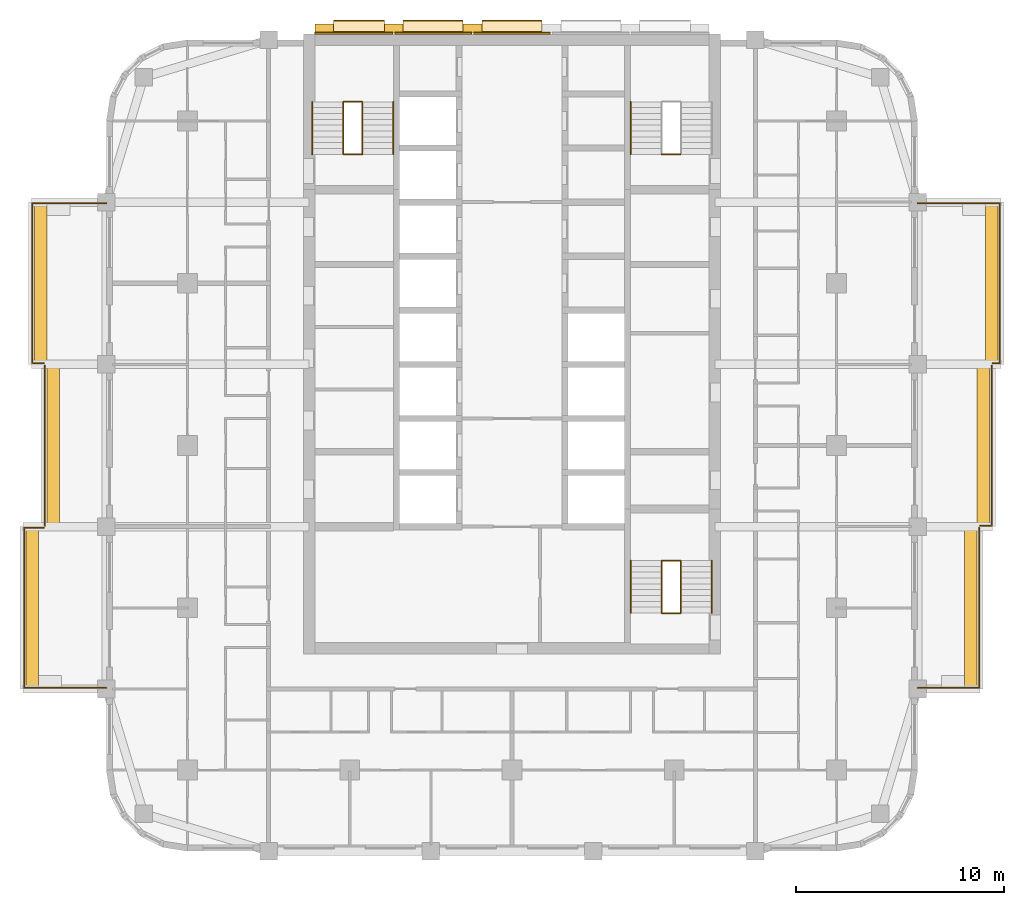
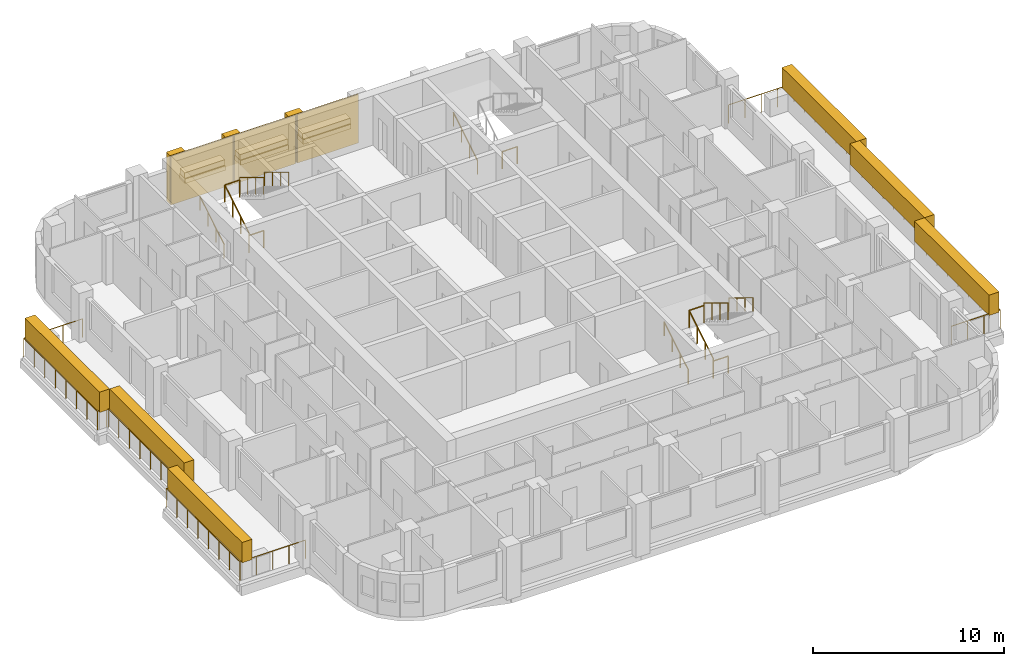
# One storey, part 12 of 13: 20 railings, 18 coverings, 3 elements without a shape of their own.
"""IFC4 building model written with IfcOpenShell, lengths in metres."""

from ifc_helpers import new_model, si_unit, direction, frame, origin, origin_2d, place, context, subcontext, project, spatial, rectangle, circle, extrude, material, layer, layer_set, type_object, element, aggregate, save


model = new_model("IFC4")

# Units and contexts
model_context = context("Model", 3, precision=1e-05, world=origin(), true_north=direction((0.0, 1.0)))
body_context = subcontext(model_context, "Body", "Model", "MODEL_VIEW")
ifc_project = project(units=[si_unit("LENGTHUNIT", "METRE"), si_unit("AREAUNIT", "SQUARE_METRE"), si_unit("VOLUMEUNIT", "CUBIC_METRE"), si_unit("PLANEANGLEUNIT", "RADIAN"), si_unit("MASSUNIT", "GRAM", prefix="KILO")], contexts=[model_context])

# Site, building, storey
site_placement = place(None, origin())
site = spatial("IfcSite", under=ifc_project, at=site_placement, CompositionType="ELEMENT")
building_placement = place(site_placement, origin())
building = spatial("IfcBuilding", under=site, at=building_placement, Name="Ludao Terraces", CompositionType="ELEMENT")
storey_placement = place(building_placement, frame((0.0, 0.0, 127.10009765625)))
storey = spatial("IfcBuildingStorey", under=building, at=storey_placement, Name="L34", CompositionType="ELEMENT", Elevation=127.10009765625)

# Railings
ifc_material_1 = material(Name="Stainless steel 304", Category="steel")
railing_type_1 = type_object("IfcRailingType", Name="ENV Balcony glass guard 1200", PredefinedType="GUARDRAIL", material=ifc_material_1)
railing_1_placement = place(storey_placement, frame((104.5, 53.35009765625, 0.0)))
element("IfcRailing", 1, at=railing_1_placement, inside=storey, type_object=railing_type_1, Name="Balcony guard L34 E1", PredefinedType="GUARDRAIL", context=body_context, shape_type="SweptSolid", body=[
    extrude(circle(Radius=0.02392578125, at=origin_2d()), frame((0.0, 0.0, 1.17578125), z_axis=(1.0, 0.0, 0.0), x_axis=(0.0, 1.0, 0.0)), (0.0, 0.0, 1.0), 2.949951171875),
    extrude(circle(Radius=0.02392578125, at=origin_2d()), frame((2.949951171875, 0.0, 1.17578125), z_axis=(0.0, 1.0, 0.0), x_axis=(-1.0, 0.0, 0.0)), (0.0, 0.0, 1.0), 7.699951171875),
    extrude(circle(Radius=0.02099609375, at=origin_2d()), origin(), (0.0, 0.0, 1.0), 1.15185546875),
    extrude(circle(Radius=0.02099609375, at=origin_2d()), frame((0.9833984375, 0.0, 0.0)), (0.0, 0.0, 1.0), 1.15185546875),
    extrude(circle(Radius=0.02099609375, at=origin_2d()), frame((1.966552734375, 0.0, 0.0)), (0.0, 0.0, 1.0), 1.15185546875),
    extrude(circle(Radius=0.02099609375, at=origin_2d()), frame((2.949951171875, 0.0, 0.0)), (0.0, 0.0, 1.0), 1.15185546875),
    extrude(circle(Radius=0.02099609375, at=origin_2d()), frame((2.949951171875, 1.10009765625, 0.0)), (0.0, 0.0, 1.0), 1.15185546875),
    extrude(circle(Radius=0.02099609375, at=origin_2d()), frame((2.949951171875, 2.199951171875, 0.0)), (0.0, 0.0, 1.0), 1.15185546875),
    extrude(circle(Radius=0.02099609375, at=origin_2d()), frame((2.949951171875, 3.300048828125, 0.0)), (0.0, 0.0, 1.0), 1.15185546875),
    extrude(circle(Radius=0.02099609375, at=origin_2d()), frame((2.949951171875, 4.39990234375, 0.0)), (0.0, 0.0, 1.0), 1.15185546875),
    extrude(circle(Radius=0.02099609375, at=origin_2d()), frame((2.949951171875, 5.5, 0.0)), (0.0, 0.0, 1.0), 1.15185546875),
    extrude(circle(Radius=0.02099609375, at=origin_2d()), frame((2.949951171875, 6.599853515625, 0.0)), (0.0, 0.0, 1.0), 1.15185546875),
    extrude(circle(Radius=0.02099609375, at=origin_2d()), frame((2.949951171875, 7.699951171875, 0.0)), (0.0, 0.0, 1.0), 1.15185546875),
])
railing_2_placement = place(storey_placement, frame((107.5, 61.14990234375, 0.0)))
element("IfcRailing", 2, at=railing_2_placement, inside=storey, type_object=railing_type_1, Name="Balcony guard L34 E2", PredefinedType="GUARDRAIL", context=body_context, shape_type="SweptSolid", body=[
    extrude(circle(Radius=0.02392578125, at=origin_2d()), frame((0.0, 0.0, 1.17578125), z_axis=(1.0, 0.0, 0.0), x_axis=(0.0, 1.0, 0.0)), (0.0, 0.0, 1.0), 0.550048828125),
    extrude(circle(Radius=0.02392578125, at=origin_2d()), frame((0.550048828125, 0.0, 1.17578125), z_axis=(0.0, 1.0, 0.0), x_axis=(-1.0, 0.0, 0.0)), (0.0, 0.0, 1.0), 7.7001953125),
    extrude(circle(Radius=0.02099609375, at=origin_2d()), origin(), (0.0, 0.0, 1.0), 1.15185546875),
    extrude(circle(Radius=0.02099609375, at=origin_2d()), frame((0.550048828125, 0.0, 0.0)), (0.0, 0.0, 1.0), 1.15185546875),
    extrude(circle(Radius=0.02099609375, at=origin_2d()), frame((0.550048828125, 1.10009765625, 0.0)), (0.0, 0.0, 1.0), 1.15185546875),
    extrude(circle(Radius=0.02099609375, at=origin_2d()), frame((0.550048828125, 2.199951171875, 0.0)), (0.0, 0.0, 1.0), 1.15185546875),
    extrude(circle(Radius=0.02099609375, at=origin_2d()), frame((0.550048828125, 3.300048828125, 0.0)), (0.0, 0.0, 1.0), 1.15185546875),
    extrude(circle(Radius=0.02099609375, at=origin_2d()), frame((0.550048828125, 4.400146484375, 0.0)), (0.0, 0.0, 1.0), 1.15185546875),
    extrude(circle(Radius=0.02099609375, at=origin_2d()), frame((0.550048828125, 5.500244140625, 0.0)), (0.0, 0.0, 1.0), 1.15185546875),
    extrude(circle(Radius=0.02099609375, at=origin_2d()), frame((0.550048828125, 6.60009765625, 0.0)), (0.0, 0.0, 1.0), 1.15185546875),
    extrude(circle(Radius=0.02099609375, at=origin_2d()), frame((0.550048828125, 7.7001953125, 0.0)), (0.0, 0.0, 1.0), 1.15185546875),
])
railing_3_placement = place(storey_placement, frame((108.10009765625, 68.949951171875, 0.0)))
element("IfcRailing", 3, at=railing_3_placement, inside=storey, type_object=railing_type_1, Name="Balcony guard L34 E3", PredefinedType="GUARDRAIL", context=body_context, shape_type="SweptSolid", body=[
    extrude(circle(Radius=0.02392578125, at=origin_2d()), frame((0.0, 0.0, 1.17578125), z_axis=(1.0, 0.0, 0.0), x_axis=(0.0, 1.0, 0.0)), (0.0, 0.0, 1.0), 0.349853515625),
    extrude(circle(Radius=0.02392578125, at=origin_2d()), frame((0.349853515625, 0.0, 1.17578125), z_axis=(0.0, 1.0, 0.0), x_axis=(-1.0, 0.0, 0.0)), (0.0, 0.0, 1.0), 7.699951171875),
    extrude(circle(Radius=0.02392578125, at=origin_2d()), frame((0.349853515625, 7.699951171875, 1.17578125), z_axis=(-1.0, 0.0, 0.0), x_axis=(0.0, -1.0, 0.0)), (0.0, 0.0, 1.0), 3.949951171875),
    extrude(circle(Radius=0.02099609375, at=origin_2d()), origin(), (0.0, 0.0, 1.0), 1.15185546875),
    extrude(circle(Radius=0.02099609375, at=origin_2d()), frame((0.349853515625, 0.0, 0.0)), (0.0, 0.0, 1.0), 1.15185546875),
    extrude(circle(Radius=0.02099609375, at=origin_2d()), frame((0.349853515625, 1.10009765625, 0.0)), (0.0, 0.0, 1.0), 1.15185546875),
    extrude(circle(Radius=0.02099609375, at=origin_2d()), frame((0.349853515625, 2.199951171875, 0.0)), (0.0, 0.0, 1.0), 1.15185546875),
    extrude(circle(Radius=0.02099609375, at=origin_2d()), frame((0.349853515625, 3.300048828125, 0.0)), (0.0, 0.0, 1.0), 1.15185546875),
    extrude(circle(Radius=0.02099609375, at=origin_2d()), frame((0.349853515625, 4.39990234375, 0.0)), (0.0, 0.0, 1.0), 1.15185546875),
    extrude(circle(Radius=0.02099609375, at=origin_2d()), frame((0.349853515625, 5.5, 0.0)), (0.0, 0.0, 1.0), 1.15185546875),
    extrude(circle(Radius=0.02099609375, at=origin_2d()), frame((0.349853515625, 6.599853515625, 0.0)), (0.0, 0.0, 1.0), 1.15185546875),
    extrude(circle(Radius=0.02099609375, at=origin_2d()), frame((0.349853515625, 7.699951171875, 0.0)), (0.0, 0.0, 1.0), 1.15185546875),
    extrude(circle(Radius=0.02099609375, at=origin_2d()), frame((-0.6376953125, 7.699951171875, 0.0)), (0.0, 0.0, 1.0), 1.15185546875),
    extrude(circle(Radius=0.02099609375, at=origin_2d()), frame((-1.625, 7.699951171875, 0.0)), (0.0, 0.0, 1.0), 1.15185546875),
    extrude(circle(Radius=0.02099609375, at=origin_2d()), frame((-2.612548828125, 7.699951171875, 0.0)), (0.0, 0.0, 1.0), 1.15185546875),
    extrude(circle(Radius=0.02099609375, at=origin_2d()), frame((-3.60009765625, 7.699951171875, 0.0)), (0.0, 0.0, 1.0), 1.15185546875),
])
railing_4_placement = place(storey_placement, frame((65.5, 53.35009765625, 0.0)))
element("IfcRailing", 4, at=railing_4_placement, inside=storey, type_object=railing_type_1, Name="Balcony guard L34 W1", PredefinedType="GUARDRAIL", context=body_context, shape_type="SweptSolid", body=[
    extrude(circle(Radius=0.02392578125, at=origin_2d()), frame((0.0, 0.0, 1.17578125), z_axis=(-1.0, 0.0, 0.0), x_axis=(0.0, -1.0, 0.0)), (0.0, 0.0, 1.0), 3.949951171875),
    extrude(circle(Radius=0.02392578125, at=origin_2d()), frame((-3.949951171875, 0.0, 1.17578125), z_axis=(0.0, 1.0, 0.0), x_axis=(-1.0, 0.0, 0.0)), (0.0, 0.0, 1.0), 7.699951171875),
    extrude(circle(Radius=0.02392578125, at=origin_2d()), frame((-3.949951171875, 7.699951171875, 1.17578125), z_axis=(1.0, 0.0, 0.0), x_axis=(0.0, 1.0, 0.0)), (0.0, 0.0, 1.0), 0.949951171875),
    extrude(circle(Radius=0.02099609375, at=origin_2d()), origin(), (0.0, 0.0, 1.0), 1.15185546875),
    extrude(circle(Radius=0.02099609375, at=origin_2d()), frame((-0.987548828125, 0.0, 0.0)), (0.0, 0.0, 1.0), 1.15185546875),
    extrude(circle(Radius=0.02099609375, at=origin_2d()), frame((-1.97509765625, 0.0, 0.0)), (0.0, 0.0, 1.0), 1.15185546875),
    extrude(circle(Radius=0.02099609375, at=origin_2d()), frame((-2.96240234375, 0.0, 0.0)), (0.0, 0.0, 1.0), 1.15185546875),
    extrude(circle(Radius=0.02099609375, at=origin_2d()), frame((-3.949951171875, 0.0, 0.0)), (0.0, 0.0, 1.0), 1.15185546875),
    extrude(circle(Radius=0.02099609375, at=origin_2d()), frame((-3.949951171875, 1.10009765625, 0.0)), (0.0, 0.0, 1.0), 1.15185546875),
    extrude(circle(Radius=0.02099609375, at=origin_2d()), frame((-3.949951171875, 2.199951171875, 0.0)), (0.0, 0.0, 1.0), 1.15185546875),
    extrude(circle(Radius=0.02099609375, at=origin_2d()), frame((-3.949951171875, 3.300048828125, 0.0)), (0.0, 0.0, 1.0), 1.15185546875),
    extrude(circle(Radius=0.02099609375, at=origin_2d()), frame((-3.949951171875, 4.39990234375, 0.0)), (0.0, 0.0, 1.0), 1.15185546875),
    extrude(circle(Radius=0.02099609375, at=origin_2d()), frame((-3.949951171875, 5.5, 0.0)), (0.0, 0.0, 1.0), 1.15185546875),
    extrude(circle(Radius=0.02099609375, at=origin_2d()), frame((-3.949951171875, 6.599853515625, 0.0)), (0.0, 0.0, 1.0), 1.15185546875),
    extrude(circle(Radius=0.02099609375, at=origin_2d()), frame((-3.949951171875, 7.699951171875, 0.0)), (0.0, 0.0, 1.0), 1.15185546875),
    extrude(circle(Radius=0.02099609375, at=origin_2d()), frame((-3.0, 7.699951171875, 0.0)), (0.0, 0.0, 1.0), 1.15185546875),
])
railing_5_placement = place(storey_placement, frame((62.550048828125, 61.14990234375, 0.0)))
element("IfcRailing", 5, at=railing_5_placement, inside=storey, type_object=railing_type_1, Name="Balcony guard L34 W2", PredefinedType="GUARDRAIL", context=body_context, shape_type="SweptSolid", body=[
    extrude(circle(Radius=0.02392578125, at=origin_2d()), frame((0.0, 0.0, 1.17578125), z_axis=(0.0, 1.0, 0.0), x_axis=(-1.0, 0.0, 0.0)), (0.0, 0.0, 1.0), 7.7001953125),
    extrude(circle(Radius=0.02099609375, at=origin_2d()), origin(), (0.0, 0.0, 1.0), 1.15185546875),
    extrude(circle(Radius=0.02099609375, at=origin_2d()), frame((0.0, 1.10009765625, 0.0)), (0.0, 0.0, 1.0), 1.15185546875),
    extrude(circle(Radius=0.02099609375, at=origin_2d()), frame((0.0, 2.199951171875, 0.0)), (0.0, 0.0, 1.0), 1.15185546875),
    extrude(circle(Radius=0.02099609375, at=origin_2d()), frame((0.0, 3.300048828125, 0.0)), (0.0, 0.0, 1.0), 1.15185546875),
    extrude(circle(Radius=0.02099609375, at=origin_2d()), frame((0.0, 4.400146484375, 0.0)), (0.0, 0.0, 1.0), 1.15185546875),
    extrude(circle(Radius=0.02099609375, at=origin_2d()), frame((0.0, 5.500244140625, 0.0)), (0.0, 0.0, 1.0), 1.15185546875),
    extrude(circle(Radius=0.02099609375, at=origin_2d()), frame((0.0, 6.60009765625, 0.0)), (0.0, 0.0, 1.0), 1.15185546875),
    extrude(circle(Radius=0.02099609375, at=origin_2d()), frame((0.0, 7.7001953125, 0.0)), (0.0, 0.0, 1.0), 1.15185546875),
])
railing_6_placement = place(storey_placement, frame((62.5, 68.949951171875, 0.0)))
element("IfcRailing", 6, at=railing_6_placement, inside=storey, type_object=railing_type_1, Name="Balcony guard L34 W3", PredefinedType="GUARDRAIL", context=body_context, shape_type="SweptSolid", body=[
    extrude(circle(Radius=0.02392578125, at=origin_2d()), frame((0.0, 0.0, 1.17578125), z_axis=(-1.0, 0.0, 0.0), x_axis=(0.0, -1.0, 0.0)), (0.0, 0.0, 1.0), 0.550048828125),
    extrude(circle(Radius=0.02392578125, at=origin_2d()), frame((-0.550048828125, 0.0, 1.17578125), z_axis=(0.0, 1.0, 0.0), x_axis=(-1.0, 0.0, 0.0)), (0.0, 0.0, 1.0), 7.699951171875),
    extrude(circle(Radius=0.02392578125, at=origin_2d()), frame((-0.550048828125, 7.699951171875, 1.17578125), z_axis=(1.0, 0.0, 0.0), x_axis=(0.0, 1.0, 0.0)), (0.0, 0.0, 1.0), 3.550048828125),
    extrude(circle(Radius=0.02099609375, at=origin_2d()), origin(), (0.0, 0.0, 1.0), 1.15185546875),
    extrude(circle(Radius=0.02099609375, at=origin_2d()), frame((-0.550048828125, 0.0, 0.0)), (0.0, 0.0, 1.0), 1.15185546875),
    extrude(circle(Radius=0.02099609375, at=origin_2d()), frame((-0.550048828125, 1.10009765625, 0.0)), (0.0, 0.0, 1.0), 1.15185546875),
    extrude(circle(Radius=0.02099609375, at=origin_2d()), frame((-0.550048828125, 2.199951171875, 0.0)), (0.0, 0.0, 1.0), 1.15185546875),
    extrude(circle(Radius=0.02099609375, at=origin_2d()), frame((-0.550048828125, 3.300048828125, 0.0)), (0.0, 0.0, 1.0), 1.15185546875),
    extrude(circle(Radius=0.02099609375, at=origin_2d()), frame((-0.550048828125, 4.39990234375, 0.0)), (0.0, 0.0, 1.0), 1.15185546875),
    extrude(circle(Radius=0.02099609375, at=origin_2d()), frame((-0.550048828125, 5.5, 0.0)), (0.0, 0.0, 1.0), 1.15185546875),
    extrude(circle(Radius=0.02099609375, at=origin_2d()), frame((-0.550048828125, 6.599853515625, 0.0)), (0.0, 0.0, 1.0), 1.15185546875),
    extrude(circle(Radius=0.02099609375, at=origin_2d()), frame((-0.550048828125, 7.699951171875, 0.0)), (0.0, 0.0, 1.0), 1.15185546875),
    extrude(circle(Radius=0.02099609375, at=origin_2d()), frame((0.63330078125, 7.699951171875, 0.0)), (0.0, 0.0, 1.0), 1.15185546875),
    extrude(circle(Radius=0.02099609375, at=origin_2d()), frame((1.816650390625, 7.699951171875, 0.0)), (0.0, 0.0, 1.0), 1.15185546875),
    extrude(circle(Radius=0.02099609375, at=origin_2d()), frame((3.0, 7.699951171875, 0.0)), (0.0, 0.0, 1.0), 1.15185546875),
])

# Coverings
ifc_material_2 = material(Name="Granite cladding", Category="masonry")
ifc_layer_1 = layer(ifc_material_2, 0.39990234375)
ifc_layer_set_1 = layer_set([ifc_layer_1], Name="ENV Core pilaster stone 400")
covering_type_1 = type_object("IfcCoveringType", Name="ENV Core pilaster stone 400", PredefinedType="CLADDING", material=ifc_layer_set_1)
for number, where, z_axis, x_axis, name in (
    (7, (75.97509765625, 85.054931640625, -0.000244140625), (0.0, 0.0, 1.0), (1.0, 0.0, 0.0), "CC-L34-PIL1"),
    (8, (79.31494140625, 85.054931640625, -0.000244140625), (0.0, 0.0, 1.0), (1.0, 0.0, 0.0), "CC-L34-PIL2"),
    (9, (83.10498046875, 85.054931640625, -0.000244140625), (0.0, 0.0, 1.0), (1.0, 0.0, 0.0), "CC-L34-PIL3"),
):
    element("IfcCovering", number, at=place(storey_placement, frame(where, z_axis=z_axis, x_axis=x_axis)), inside=storey, type_object=covering_type_1, Name=name, PredefinedType="CLADDING", context=body_context, shape_type="SweptSolid", body=[
        extrude(rectangle(XDim=0.89990234375, YDim=0.39990234375, at=origin_2d()), origin(), (0.0, 0.0, 1.0), 3.10009765625),
    ])
ifc_layer_2 = layer(ifc_material_2, 0.60009765625)
ifc_layer_set_2 = layer_set([ifc_layer_2], Name="ENV Core planting shelf stone 600")
covering_type_2 = type_object("IfcCoveringType", Name="ENV Core planting shelf stone 600", PredefinedType="CLADDING", material=ifc_layer_set_2)
covering_1_placement = place(storey_placement, frame((77.64501953125, 85.155029296875, 1.0), z_axis=(0.0, 0.0, 1.0), x_axis=(1.0, 0.0, 0.0)))
element("IfcCovering", 10, at=covering_1_placement, inside=storey, type_object=covering_type_2, Name="CC-L34-SHELF1", PredefinedType="CLADDING", context=body_context, shape_type="SweptSolid", body=[
    extrude(rectangle(XDim=2.43994140625, YDim=0.60009765625, at=origin_2d()), origin(), (0.0, 0.0, 1.0), 0.300048828125),
])
for number, where, z_axis, x_axis, name in (
    (11, (81.2099609375, 85.155029296875, 1.0), (0.0, 0.0, 1.0), (1.0, 0.0, 0.0), "CC-L34-SHELF2"),
    (12, (85.0, 85.155029296875, 1.0), (0.0, 0.0, 1.0), (1.0, 0.0, 0.0), "CC-L34-SHELF3"),
):
    element("IfcCovering", number, at=place(storey_placement, frame(where, z_axis=z_axis, x_axis=x_axis)), inside=storey, type_object=covering_type_2, Name=name, PredefinedType="CLADDING", context=body_context, shape_type="SweptSolid", body=[
        extrude(rectangle(XDim=2.889892578125, YDim=0.60009765625, at=origin_2d()), origin(), (0.0, 0.0, 1.0), 0.300048828125),
    ])
ifc_layer_3 = layer(ifc_material_2, 0.080078125)
ifc_layer_set_3 = layer_set([ifc_layer_3], Name="ENV Core stone cladding panel 80")
covering_type_3 = type_object("IfcCoveringType", Name="ENV Core stone cladding panel 80", PredefinedType="CLADDING", material=ifc_layer_set_3)
covering_2_placement = place(storey_placement, frame((77.39501953125, 84.81494140625, -0.000244140625), z_axis=(0.0, 0.0, 1.0), x_axis=(1.0, 0.0, 0.0)))
element("IfcCovering", 13, at=covering_2_placement, inside=storey, type_object=covering_type_3, Name="CC-L34-CORE1", PredefinedType="CLADDING", context=body_context, shape_type="SweptSolid", body=[
    extrude(rectangle(XDim=3.739990234375, YDim=0.080078125, at=origin_2d()), origin(), (0.0, 0.0, 1.0), 3.10009765625),
])
for number, where, z_axis, x_axis, name in (
    (14, (81.2099609375, 84.81494140625, -0.000244140625), (0.0, 0.0, 1.0), (1.0, 0.0, 0.0), "CC-L34-CORE2"),
    (15, (85.0, 84.81494140625, -0.000244140625), (0.0, 0.0, 1.0), (1.0, 0.0, 0.0), "CC-L34-CORE3"),
):
    element("IfcCovering", number, at=place(storey_placement, frame(where, z_axis=z_axis, x_axis=x_axis)), inside=storey, type_object=covering_type_3, Name=name, PredefinedType="CLADDING", context=body_context, shape_type="SweptSolid", body=[
        extrude(rectangle(XDim=3.68994140625, YDim=0.080078125, at=origin_2d()), origin(), (0.0, 0.0, 1.0), 3.10009765625),
    ])
ifc_material_3 = material(Name="Planting")
ifc_layer_4 = layer(ifc_material_3, 0.60009765625)
ifc_layer_set_4 = layer_set([ifc_layer_4], Name="ENV Planting hedge 600x1300")
covering_type_4 = type_object("IfcCoveringType", Name="ENV Planting hedge 600x1300", PredefinedType="USERDEFINED", material=ifc_layer_set_4)
for number, where, z_axis, x_axis, name in (
    (16, (107.050048828125, 57.199951171875, 1.10009765625), (0.0, 0.0, 1.0), (1.0, 0.0, 0.0), "Planting hedge L34-E1"),
    (17, (107.64990234375, 65.0, 1.10009765625), (0.0, 0.0, 1.0), (1.0, 0.0, 0.0), "Planting hedge L34-E2"),
    (18, (108.050048828125, 72.800048828125, 1.10009765625), (0.0, 0.0, 1.0), (1.0, 0.0, 0.0), "Planting hedge L34-E3"),
    (19, (61.949951171875, 57.199951171875, 1.10009765625), (0.0, 0.0, 1.0), (1.0, 0.0, 0.0), "Planting hedge L34-W1"),
    (20, (62.949951171875, 65.0, 1.10009765625), (0.0, 0.0, 1.0), (1.0, 0.0, 0.0), "Planting hedge L34-W2"),
    (21, (62.35009765625, 72.800048828125, 1.10009765625), (0.0, 0.0, 1.0), (1.0, 0.0, 0.0), "Planting hedge L34-W3"),
):
    element("IfcCovering", number, at=place(storey_placement, frame(where, z_axis=z_axis, x_axis=x_axis)), inside=storey, type_object=covering_type_4, Name=name, ObjectType="PLANTING", PredefinedType="USERDEFINED", context=body_context, shape_type="SweptSolid", body=[
        extrude(rectangle(XDim=0.60009765625, YDim=7.800048828125, at=origin_2d()), origin(), (0.0, 0.0, 1.0), 1.300048828125),
    ])
ifc_layer_5 = layer(ifc_material_3, 0.5)
ifc_layer_set_5 = layer_set([ifc_layer_5], Name="ENV Shelf planting bed 350")
covering_type_5 = type_object("IfcCoveringType", Name="ENV Shelf planting bed 350", PredefinedType="USERDEFINED", material=ifc_layer_set_5)
covering_3_placement = place(storey_placement, frame((77.64501953125, 85.155029296875, 1.2998046875), z_axis=(0.0, 0.0, 1.0), x_axis=(1.0, 0.0, 0.0)))
element("IfcCovering", 22, at=covering_3_placement, inside=storey, type_object=covering_type_5, Name="Shelf planting bed L34 1", ObjectType="PLANTING", PredefinedType="USERDEFINED", context=body_context, shape_type="SweptSolid", body=[
    extrude(rectangle(XDim=2.43994140625, YDim=0.5, at=origin_2d()), origin(), (0.0, 0.0, 1.0), 0.35009765625),
])
for number, where, z_axis, x_axis, name in (
    (23, (81.2099609375, 85.155029296875, 1.2998046875), (0.0, 0.0, 1.0), (1.0, 0.0, 0.0), "Shelf planting bed L34 2"),
    (24, (85.0, 85.155029296875, 1.2998046875), (0.0, 0.0, 1.0), (1.0, 0.0, 0.0), "Shelf planting bed L34 3"),
):
    element("IfcCovering", number, at=place(storey_placement, frame(where, z_axis=z_axis, x_axis=x_axis)), inside=storey, type_object=covering_type_5, Name=name, ObjectType="PLANTING", PredefinedType="USERDEFINED", context=body_context, shape_type="SweptSolid", body=[
        extrude(rectangle(XDim=2.889892578125, YDim=0.5, at=origin_2d()), origin(), (0.0, 0.0, 1.0), 0.35009765625),
    ])

# Stair, railings
ifc_material_4 = material(Name="Concrete C40", Category="concrete")
stair_type = type_object("IfcStairType", Name="INT Stair", PredefinedType="HALF_TURN_STAIR", material=ifc_material_4)
stair_1_placement = place(storey_placement, origin())
stair_1 = element("IfcStair", 25, at=stair_1_placement, inside=storey, type_object=stair_type, Name="EXIT STAIR 1", PredefinedType="HALF_TURN_STAIR")
railing_type_2 = type_object("IfcRailingType", Name="INT Stair guard 1100", PredefinedType="GUARDRAIL", material=ifc_material_1)
railing_7_placement = place(storey_placement, frame((76.89990234375, 79.0, 0.169921875)))
railing_7 = element("IfcRailing", 26, at=railing_7_placement, type_object=railing_type_2, Name="ST-L34-S1-R1G", PredefinedType="GUARDRAIL", context=body_context, shape_type="SweptSolid", body=[
    extrude(circle(Radius=0.02392578125, at=origin_2d()), frame((0.0, 0.0, 1.076171875), z_axis=(0.0, 0.85478489116, 0.518982456201), x_axis=(-1.0, 0.0, 0.0)), (0.0, 0.0, 1.0), 2.9482421875),
    extrude(circle(Radius=0.02099609375, at=origin_2d()), origin(), (0.0, 0.0, 1.0), 1.052001953125),
    extrude(circle(Radius=0.02099609375, at=origin_2d()), frame((0.0, 0.840087890625, 0.510009765625)), (0.0, 0.0, 1.0), 1.052001953125),
    extrude(circle(Radius=0.02099609375, at=origin_2d()), frame((0.0, 1.679931640625, 1.02001953125)), (0.0, 0.0, 1.0), 1.052001953125),
    extrude(circle(Radius=0.02099609375, at=origin_2d()), frame((0.0, 2.52001953125, 1.530029296875)), (0.0, 0.0, 1.0), 1.052001953125),
])
railing_8_placement = place(storey_placement, frame((77.800048828125, 81.52001953125, 1.869873046875)))
railing_8 = element("IfcRailing", 27, at=railing_8_placement, type_object=railing_type_2, Name="ST-L34-S1-R2G", PredefinedType="GUARDRAIL", context=body_context, shape_type="SweptSolid", body=[
    extrude(circle(Radius=0.02392578125, at=origin_2d()), frame((0.0, 0.0, 1.076171875), z_axis=(0.0, -0.85478489116, 0.518982456201), x_axis=(1.0, 0.0, 0.0)), (0.0, 0.0, 1.0), 2.9482421875),
    extrude(circle(Radius=0.02099609375, at=origin_2d()), origin(), (0.0, 0.0, 1.0), 1.052001953125),
    extrude(circle(Radius=0.02099609375, at=origin_2d()), frame((0.0, -0.840087890625, 0.510009765625)), (0.0, 0.0, 1.0), 1.052001953125),
    extrude(circle(Radius=0.02099609375, at=origin_2d()), frame((0.0, -1.679931640625, 1.02001953125)), (0.0, 0.0, 1.0), 1.052001953125),
    extrude(circle(Radius=0.02099609375, at=origin_2d()), frame((0.0, -2.52001953125, 1.530029296875)), (0.0, 0.0, 1.0), 1.052001953125),
])
railing_9_placement = place(storey_placement, frame((76.89990234375, 81.52001953125, 1.699951171875)))
railing_9 = element("IfcRailing", 28, at=railing_9_placement, type_object=railing_type_2, Name="ST-L34-S1-E1G", PredefinedType="GUARDRAIL", context=body_context, shape_type="SweptSolid", body=[
    extrude(circle(Radius=0.02392578125, at=origin_2d()), frame((0.0, 0.0, 1.076171875), z_axis=(1.0, 0.0, 0.0), x_axis=(0.0, 1.0, 0.0)), (0.0, 0.0, 1.0), 0.900146484375),
    extrude(circle(Radius=0.02099609375, at=origin_2d()), origin(), (0.0, 0.0, 1.0), 1.052001953125),
    extrude(circle(Radius=0.02099609375, at=origin_2d()), frame((0.900146484375, 0.0, 0.0)), (0.0, 0.0, 1.0), 1.052001953125),
])
railing_10_placement = place(storey_placement, frame((76.89990234375, 79.0, 0.0)))
railing_10 = element("IfcRailing", 29, at=railing_10_placement, type_object=railing_type_2, Name="ST-L34-S1-E2G", PredefinedType="GUARDRAIL", context=body_context, shape_type="SweptSolid", body=[
    extrude(circle(Radius=0.02392578125, at=origin_2d()), frame((0.0, 0.0, 1.076171875), z_axis=(1.0, 0.0, 0.0), x_axis=(0.0, 1.0, 0.0)), (0.0, 0.0, 1.0), 0.900146484375),
    extrude(circle(Radius=0.02099609375, at=origin_2d()), origin(), (0.0, 0.0, 1.0), 1.052001953125),
    extrude(circle(Radius=0.02099609375, at=origin_2d()), frame((0.900146484375, 0.0, 0.0)), (0.0, 0.0, 1.0), 1.052001953125),
])

# Stair, railing
stair_2_placement = place(storey_placement, origin())
stair_2 = element("IfcStair", 30, at=stair_2_placement, inside=storey, type_object=stair_type, Name="EXIT STAIR 2", PredefinedType="HALF_TURN_STAIR")
railing_11_placement = place(storey_placement, frame((92.199951171875, 79.0, 0.0)))
railing_11 = element("IfcRailing", 31, at=railing_11_placement, type_object=railing_type_2, Name="ST-L34-S2-E2G", PredefinedType="GUARDRAIL", context=body_context, shape_type="SweptSolid", body=[
    extrude(circle(Radius=0.02392578125, at=origin_2d()), frame((0.0, 0.0, 1.076171875), z_axis=(1.0, 0.0, 0.0), x_axis=(0.0, 1.0, 0.0)), (0.0, 0.0, 1.0), 0.900146484375),
    extrude(circle(Radius=0.02099609375, at=origin_2d()), origin(), (0.0, 0.0, 1.0), 1.052001953125),
    extrude(circle(Radius=0.02099609375, at=origin_2d()), frame((0.900146484375, 0.0, 0.0)), (0.0, 0.0, 1.0), 1.052001953125),
])

# Stair, railings
stair_3_placement = place(storey_placement, origin())
stair_3 = element("IfcStair", 32, at=stair_3_placement, inside=storey, type_object=stair_type, Name="EXIT STAIR 3", PredefinedType="HALF_TURN_STAIR")
railing_12_placement = place(storey_placement, frame((92.199951171875, 56.949951171875, 0.169921875)))
railing_12 = element("IfcRailing", 33, at=railing_12_placement, type_object=railing_type_2, Name="ST-L34-S3-R1G", PredefinedType="GUARDRAIL", context=body_context, shape_type="SweptSolid", body=[
    extrude(circle(Radius=0.02392578125, at=origin_2d()), frame((0.0, 0.0, 1.076171875), z_axis=(0.0, 0.85478489116, 0.518982456201), x_axis=(-1.0, 0.0, 0.0)), (0.0, 0.0, 1.0), 2.9482421875),
    extrude(circle(Radius=0.02099609375, at=origin_2d()), origin(), (0.0, 0.0, 1.0), 1.052001953125),
    extrude(circle(Radius=0.02099609375, at=origin_2d()), frame((0.0, 0.840087890625, 0.510009765625)), (0.0, 0.0, 1.0), 1.052001953125),
    extrude(circle(Radius=0.02099609375, at=origin_2d()), frame((0.0, 1.679931640625, 1.02001953125)), (0.0, 0.0, 1.0), 1.052001953125),
    extrude(circle(Radius=0.02099609375, at=origin_2d()), frame((0.0, 2.52001953125, 1.530029296875)), (0.0, 0.0, 1.0), 1.052001953125),
])
railing_13_placement = place(storey_placement, frame((93.10009765625, 59.469970703125, 1.869873046875)))
railing_13 = element("IfcRailing", 34, at=railing_13_placement, type_object=railing_type_2, Name="ST-L34-S3-R2G", PredefinedType="GUARDRAIL", context=body_context, shape_type="SweptSolid", body=[
    extrude(circle(Radius=0.02392578125, at=origin_2d()), frame((0.0, 0.0, 1.076171875), z_axis=(0.0, -0.85478489116, 0.518982456201), x_axis=(1.0, 0.0, 0.0)), (0.0, 0.0, 1.0), 2.9482421875),
    extrude(circle(Radius=0.02099609375, at=origin_2d()), origin(), (0.0, 0.0, 1.0), 1.052001953125),
    extrude(circle(Radius=0.02099609375, at=origin_2d()), frame((0.0, -0.840087890625, 0.510009765625)), (0.0, 0.0, 1.0), 1.052001953125),
    extrude(circle(Radius=0.02099609375, at=origin_2d()), frame((0.0, -1.679931640625, 1.02001953125)), (0.0, 0.0, 1.0), 1.052001953125),
    extrude(circle(Radius=0.02099609375, at=origin_2d()), frame((0.0, -2.52001953125, 1.530029296875)), (0.0, 0.0, 1.0), 1.052001953125),
])
railing_14_placement = place(storey_placement, frame((92.199951171875, 59.469970703125, 1.699951171875)))
railing_14 = element("IfcRailing", 35, at=railing_14_placement, type_object=railing_type_2, Name="ST-L34-S3-E1G", PredefinedType="GUARDRAIL", context=body_context, shape_type="SweptSolid", body=[
    extrude(circle(Radius=0.02392578125, at=origin_2d()), frame((0.0, 0.0, 1.076171875), z_axis=(1.0, 0.0, 0.0), x_axis=(0.0, 1.0, 0.0)), (0.0, 0.0, 1.0), 0.900146484375),
    extrude(circle(Radius=0.02099609375, at=origin_2d()), origin(), (0.0, 0.0, 1.0), 1.052001953125),
    extrude(circle(Radius=0.02099609375, at=origin_2d()), frame((0.900146484375, 0.0, 0.0)), (0.0, 0.0, 1.0), 1.052001953125),
])
railing_15_placement = place(storey_placement, frame((92.199951171875, 56.949951171875, 0.0)))
railing_15 = element("IfcRailing", 36, at=railing_15_placement, type_object=railing_type_2, Name="ST-L34-S3-E2G", PredefinedType="GUARDRAIL", context=body_context, shape_type="SweptSolid", body=[
    extrude(circle(Radius=0.02392578125, at=origin_2d()), frame((0.0, 0.0, 1.076171875), z_axis=(1.0, 0.0, 0.0), x_axis=(0.0, 1.0, 0.0)), (0.0, 0.0, 1.0), 0.900146484375),
    extrude(circle(Radius=0.02099609375, at=origin_2d()), origin(), (0.0, 0.0, 1.0), 1.052001953125),
    extrude(circle(Radius=0.02099609375, at=origin_2d()), frame((0.900146484375, 0.0, 0.0)), (0.0, 0.0, 1.0), 1.052001953125),
])

# Railing
railing_type_3 = type_object("IfcRailingType", Name="INT Stair handrail 900", PredefinedType="HANDRAIL", material=ifc_material_1)
railing_16_placement = place(storey_placement, frame((75.39990234375, 79.0, 0.169921875)))
railing_16 = element("IfcRailing", 37, at=railing_16_placement, type_object=railing_type_3, Name="ST-L34-S1-R1H", PredefinedType="HANDRAIL", context=body_context, shape_type="SweptSolid", body=[
    extrude(circle(Radius=0.02392578125, at=origin_2d()), frame((0.0, 0.0, 0.8759765625), z_axis=(0.0, 0.85478489116, 0.518982456201), x_axis=(-1.0, 0.0, 0.0)), (0.0, 0.0, 1.0), 2.9482421875),
    extrude(circle(Radius=0.02099609375, at=origin_2d()), origin(), (0.0, 0.0, 1.0), 0.851806640625),
    extrude(circle(Radius=0.02099609375, at=origin_2d()), frame((0.0, 0.840087890625, 0.510009765625)), (0.0, 0.0, 1.0), 0.851806640625),
    extrude(circle(Radius=0.02099609375, at=origin_2d()), frame((0.0, 1.679931640625, 1.02001953125)), (0.0, 0.0, 1.0), 0.851806640625),
    extrude(circle(Radius=0.02099609375, at=origin_2d()), frame((0.0, 2.52001953125, 1.530029296875)), (0.0, 0.0, 1.0), 0.851806640625),
])

railing_17_placement = place(storey_placement, frame((79.300048828125, 81.52001953125, 1.869873046875)))
railing_17 = element("IfcRailing", 38, at=railing_17_placement, type_object=railing_type_3, Name="ST-L34-S1-R2H", PredefinedType="HANDRAIL", context=body_context, shape_type="SweptSolid", body=[
    extrude(circle(Radius=0.02392578125, at=origin_2d()), frame((0.0, 0.0, 0.8759765625), z_axis=(0.0, -0.85478489116, 0.518982456201), x_axis=(1.0, 0.0, 0.0)), (0.0, 0.0, 1.0), 2.9482421875),
    extrude(circle(Radius=0.02099609375, at=origin_2d()), origin(), (0.0, 0.0, 1.0), 0.851806640625),
    extrude(circle(Radius=0.02099609375, at=origin_2d()), frame((0.0, -0.840087890625, 0.510009765625)), (0.0, 0.0, 1.0), 0.851806640625),
    extrude(circle(Radius=0.02099609375, at=origin_2d()), frame((0.0, -1.679931640625, 1.02001953125)), (0.0, 0.0, 1.0), 0.851806640625),
    extrude(circle(Radius=0.02099609375, at=origin_2d()), frame((0.0, -2.52001953125, 1.530029296875)), (0.0, 0.0, 1.0), 0.851806640625),
])

aggregate(stair_1, [railing_7, railing_16, railing_8, railing_17, railing_9, railing_10])

railing_18_placement = place(storey_placement, frame((90.699951171875, 79.0, 0.169921875)))
railing_18 = element("IfcRailing", 39, at=railing_18_placement, type_object=railing_type_3, Name="ST-L34-S2-R1H", PredefinedType="HANDRAIL", context=body_context, shape_type="SweptSolid", body=[
    extrude(circle(Radius=0.02392578125, at=origin_2d()), frame((0.0, 0.0, 0.8759765625), z_axis=(0.0, 0.85478489116, 0.518982456201), x_axis=(-1.0, 0.0, 0.0)), (0.0, 0.0, 1.0), 2.9482421875),
    extrude(circle(Radius=0.02099609375, at=origin_2d()), origin(), (0.0, 0.0, 1.0), 0.851806640625),
    extrude(circle(Radius=0.02099609375, at=origin_2d()), frame((0.0, 0.840087890625, 0.510009765625)), (0.0, 0.0, 1.0), 0.851806640625),
    extrude(circle(Radius=0.02099609375, at=origin_2d()), frame((0.0, 1.679931640625, 1.02001953125)), (0.0, 0.0, 1.0), 0.851806640625),
    extrude(circle(Radius=0.02099609375, at=origin_2d()), frame((0.0, 2.52001953125, 1.530029296875)), (0.0, 0.0, 1.0), 0.851806640625),
])

aggregate(stair_2, [railing_18, railing_11])

railing_19_placement = place(storey_placement, frame((90.699951171875, 56.949951171875, 0.169921875)))
railing_19 = element("IfcRailing", 40, at=railing_19_placement, type_object=railing_type_3, Name="ST-L34-S3-R1H", PredefinedType="HANDRAIL", context=body_context, shape_type="SweptSolid", body=[
    extrude(circle(Radius=0.02392578125, at=origin_2d()), frame((0.0, 0.0, 0.8759765625), z_axis=(0.0, 0.85478489116, 0.518982456201), x_axis=(-1.0, 0.0, 0.0)), (0.0, 0.0, 1.0), 2.9482421875),
    extrude(circle(Radius=0.02099609375, at=origin_2d()), origin(), (0.0, 0.0, 1.0), 0.851806640625),
    extrude(circle(Radius=0.02099609375, at=origin_2d()), frame((0.0, 0.840087890625, 0.510009765625)), (0.0, 0.0, 1.0), 0.851806640625),
    extrude(circle(Radius=0.02099609375, at=origin_2d()), frame((0.0, 1.679931640625, 1.02001953125)), (0.0, 0.0, 1.0), 0.851806640625),
    extrude(circle(Radius=0.02099609375, at=origin_2d()), frame((0.0, 2.52001953125, 1.530029296875)), (0.0, 0.0, 1.0), 0.851806640625),
])

railing_20_placement = place(storey_placement, frame((94.60009765625, 59.469970703125, 1.869873046875)))
railing_20 = element("IfcRailing", 41, at=railing_20_placement, type_object=railing_type_3, Name="ST-L34-S3-R2H", PredefinedType="HANDRAIL", context=body_context, shape_type="SweptSolid", body=[
    extrude(circle(Radius=0.02392578125, at=origin_2d()), frame((0.0, 0.0, 0.8759765625), z_axis=(0.0, -0.85478489116, 0.518982456201), x_axis=(1.0, 0.0, 0.0)), (0.0, 0.0, 1.0), 2.9482421875),
    extrude(circle(Radius=0.02099609375, at=origin_2d()), origin(), (0.0, 0.0, 1.0), 0.851806640625),
    extrude(circle(Radius=0.02099609375, at=origin_2d()), frame((0.0, -0.840087890625, 0.510009765625)), (0.0, 0.0, 1.0), 0.851806640625),
    extrude(circle(Radius=0.02099609375, at=origin_2d()), frame((0.0, -1.679931640625, 1.02001953125)), (0.0, 0.0, 1.0), 0.851806640625),
    extrude(circle(Radius=0.02099609375, at=origin_2d()), frame((0.0, -2.52001953125, 1.530029296875)), (0.0, 0.0, 1.0), 0.851806640625),
])

aggregate(stair_3, [railing_12, railing_19, railing_13, railing_20, railing_14, railing_15])

save(model, "model.ifc")
